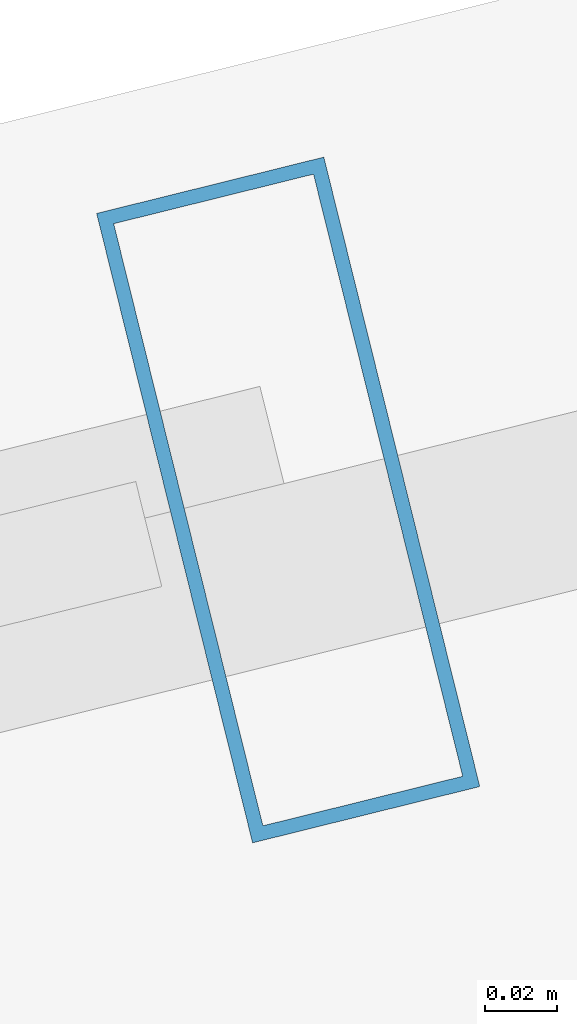
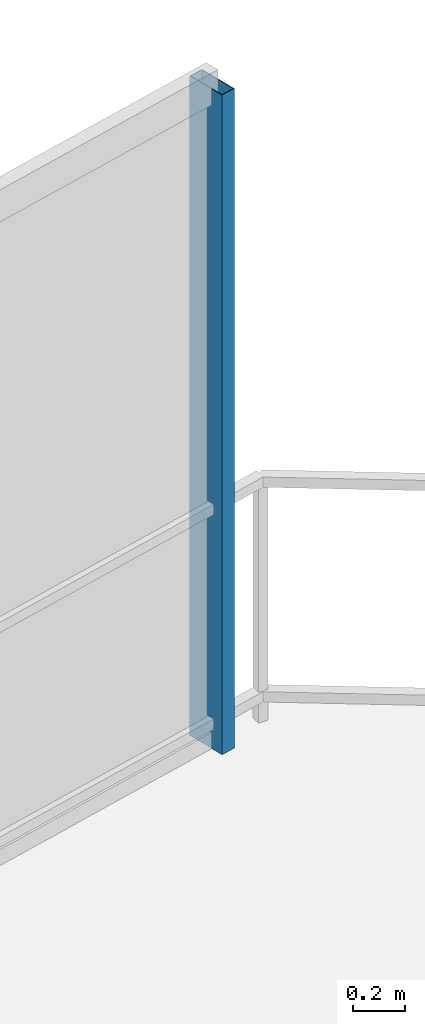
# One storey, part 17 of 23: 1 member, 1 element without a shape of its own.
"""IFC4 building model written with IfcOpenShell, lengths in metres."""

from ifc_helpers import new_model, si_unit, direction, frame, origin, origin_2d, place, context, subcontext, project, spatial, hollow_rectangle, extrude, material, layer, layer_set, material_profile, profile_set, type_object, element, aggregate, save


model = new_model("IFC4")

# Units and contexts
model_context = context("Model", 3, precision=1e-05, world=origin(), true_north=direction((0.0, 1.0)))
body_context = subcontext(model_context, "Body", "Model", "MODEL_VIEW")
ifc_project = project(units=[si_unit("LENGTHUNIT", "METRE"), si_unit("AREAUNIT", "SQUARE_METRE"), si_unit("VOLUMEUNIT", "CUBIC_METRE"), si_unit("PLANEANGLEUNIT", "RADIAN"), si_unit("MASSUNIT", "GRAM", prefix="KILO")], contexts=[model_context])

# Site, building, storey
site_placement = place(None, origin())
site = spatial("IfcSite", under=ifc_project, at=site_placement, CompositionType="ELEMENT")
building_placement = place(site_placement, origin())
building = spatial("IfcBuilding", under=site, at=building_placement, Name="Qarnah Convention Tower", CompositionType="ELEMENT")
storey_placement = place(building_placement, frame((0.0, 0.0, 117.75)))
storey = spatial("IfcBuildingStorey", under=building, at=storey_placement, Name="L31", CompositionType="ELEMENT", Elevation=117.75)

# Curtain wall, member
ifc_material_1 = material(Name="Tempered Low-E dark glass", Category="glass")
ifc_layer = layer(ifc_material_1, 0.169921875)
ifc_layer_set = layer_set([ifc_layer], Name="Tempered Low-E dark glass")
curtain_wall_type = type_object("IfcCurtainWallType", Name="CWS-02", PredefinedType="NOTDEFINED", material=ifc_layer_set)
curtain_wall_placement = place(storey_placement, origin())
curtain_wall = element("IfcCurtainWall", 1, at=curtain_wall_placement, inside=storey, type_object=curtain_wall_type, Name="L31 unitised curtain wall CW-L31-F1", PredefinedType="NOTDEFINED")
ifc_material_2 = material(Name="Black anodised aluminium", Category="aluminium")
ifc_material_profile = material_profile(ifc_material_2, hollow_rectangle(XDim=0.06494140625, YDim=0.179931640625, WallThickness=0.00390625, at=origin_2d()), Name="MUL-65X180")
ifc_profile_set = profile_set([ifc_material_profile], Name="Black anodised aluminium")
member_type = type_object("IfcMemberType", Name="MUL-T2", PredefinedType="MULLION", material=ifc_profile_set)
member_placement = place(storey_placement, frame((49.431884765625, 47.00390625, 0.0), z_axis=(0.0, 0.0, 1.0), x_axis=(0.970638864728, 0.240541460625, 0.0)))
member = element("IfcMember", 2, at=member_placement, type_object=member_type, Name="CW-L31-F1 mullion 6", PredefinedType="MULLION", context=body_context, shape_type="SweptSolid", body=[
    extrude(hollow_rectangle(XDim=0.06494140625, YDim=0.179931640625, WallThickness=0.00390625, at=origin_2d()), origin(), (0.0, 0.0, 1.0), 3.090087890625),
])
aggregate(curtain_wall, [member])

save(model, "model.ifc")
